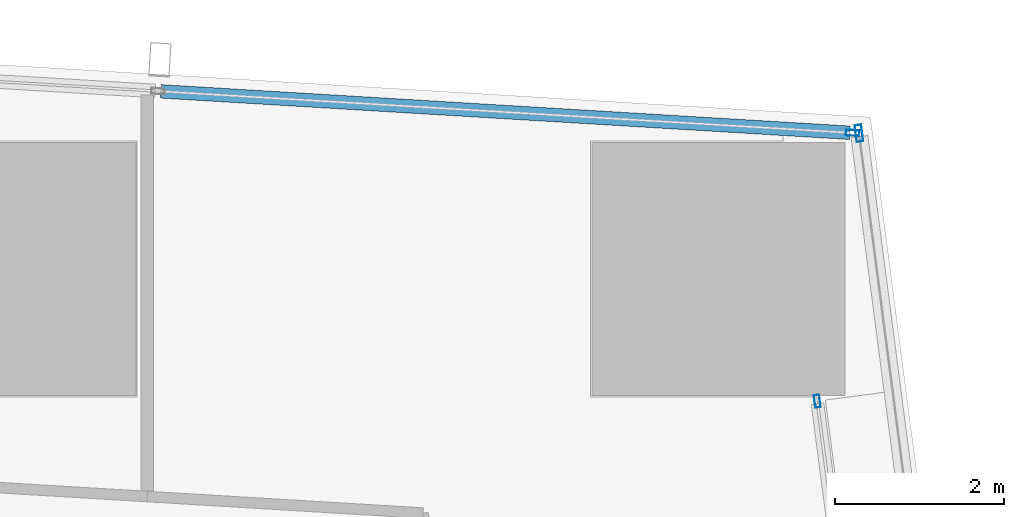
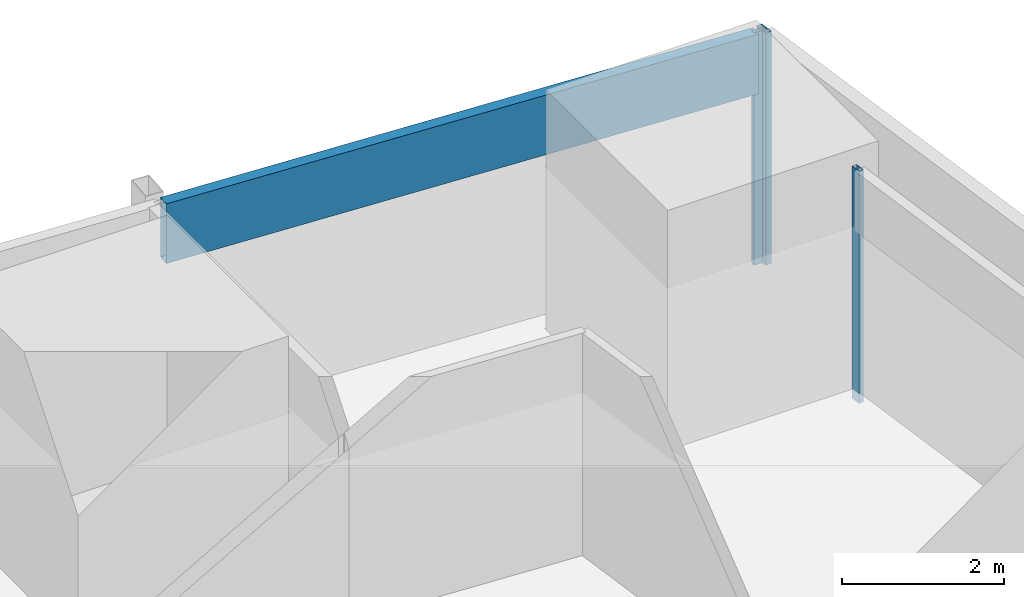
# One storey, part 20 of 39: 4 members, 3 elements without a shape of their own.
"""IFC4 building model written with IfcOpenShell, lengths in metres."""

from ifc_helpers import new_model, si_unit, direction, frame, origin, origin_2d, place, context, subcontext, project, spatial, hollow_rectangle, extrude, material, material_profile, profile_set, type_object, element, aggregate, save


model = new_model("IFC4")

# Units and contexts
model_context = context("Model", 3, precision=1e-05, world=origin(), true_north=direction((0.0, 1.0)))
body_context = subcontext(model_context, "Body", "Model", "MODEL_VIEW")
ifc_project = project(units=[si_unit("LENGTHUNIT", "METRE"), si_unit("AREAUNIT", "SQUARE_METRE"), si_unit("VOLUMEUNIT", "CUBIC_METRE"), si_unit("PLANEANGLEUNIT", "RADIAN"), si_unit("MASSUNIT", "GRAM", prefix="KILO")], contexts=[model_context])

# Site, building, storey
site_placement = place(None, origin())
site = spatial("IfcSite", under=ifc_project, at=site_placement, CompositionType="ELEMENT")
building_placement = place(site_placement, origin())
building = spatial("IfcBuilding", under=site, at=building_placement, Name="Rekha Terrace Tower", CompositionType="ELEMENT")
storey_placement = place(building_placement, frame((0.0, 0.0, 155.300048828125)))
storey = spatial("IfcBuildingStorey", under=building, at=storey_placement, Name="L39", CompositionType="ELEMENT", Elevation=155.300048828125)

# Curtain wall, member
ifc_material_1 = material(Name="Aluminium framing", Category="aluminium")
curtain_wall_type_1 = type_object("IfcCurtainWallType", Name="CW1 double skin inner glazing", PredefinedType="USERDEFINED", material=ifc_material_1)
curtain_wall_1_placement = place(storey_placement, origin())
curtain_wall_1 = element("IfcCurtainWall", 1, at=curtain_wall_1_placement, inside=storey, type_object=curtain_wall_type_1, Name="CW1 double skin inner glazing", ObjectType="DOUBLE SKIN INNER GLAZING", PredefinedType="USERDEFINED")
ifc_material_2 = material(Name="Aluminium mullion section", Category="aluminium")
ifc_material_profile_1 = material_profile(ifc_material_2, hollow_rectangle(XDim=0.06494140625, YDim=0.14990234375, WallThickness=0.00390625, at=origin_2d()), Name="AL RHS 65x150")
ifc_profile_set_1 = profile_set([ifc_material_profile_1], Name="Aluminium mullion section")
member_type_1 = type_object("IfcMemberType", Name="CW1 mullion RHS 65 x 150", PredefinedType="MULLION", material=ifc_profile_set_1)
member_1_placement = place(storey_placement, frame((68.369140625, 57.235595703125, 0.0), z_axis=(0.0, 0.0, 1.0), x_axis=(-0.991629186242, -0.129118383641, 0.0)))
member_1 = element("IfcMember", 2, at=member_1_placement, type_object=member_type_1, Name="CW1 mullion 2", PredefinedType="MULLION", context=body_context, shape_type="SweptSolid", body=[
    extrude(hollow_rectangle(XDim=0.06494140625, YDim=0.14990234375, WallThickness=0.00390625, at=origin_2d()), origin(), (0.0, 0.0, 1.0), 3.5),
])
aggregate(curtain_wall_1, [member_1])

curtain_wall_type_2 = type_object("IfcCurtainWallType", Name="CW2 double skin outer glazing", PredefinedType="USERDEFINED", material=ifc_material_1)
curtain_wall_2_placement = place(storey_placement, origin())
curtain_wall_2 = element("IfcCurtainWall", 3, at=curtain_wall_2_placement, inside=storey, type_object=curtain_wall_type_2, Name="CW2 double skin outer glazing", ObjectType="DOUBLE SKIN OUTER GLAZING", PredefinedType="USERDEFINED")
ifc_material_profile_2 = material_profile(ifc_material_2, hollow_rectangle(XDim=0.080078125, YDim=0.199951171875, WallThickness=0.00390625, at=origin_2d()), Name="AL RHS 80x200")
ifc_profile_set_2 = profile_set([ifc_material_profile_2], Name="Aluminium mullion section")
member_type_2 = type_object("IfcMemberType", Name="CW2 mullion RHS 80 x 200", PredefinedType="MULLION", material=ifc_profile_set_2)
member_2_placement = place(storey_placement, frame((68.863525390625, 60.408447265625, 0.0), z_axis=(0.0, 0.0, 1.0), x_axis=(-0.991629186244, -0.129118383623, 0.0)))
member_2 = element("IfcMember", 4, at=member_2_placement, type_object=member_type_2, Name="CW2 mullion 3", PredefinedType="MULLION", context=body_context, shape_type="SweptSolid", body=[
    extrude(hollow_rectangle(XDim=0.080078125, YDim=0.199951171875, WallThickness=0.00390625, at=origin_2d()), origin(), (0.0, 0.0, 1.0), 3.5),
])
aggregate(curtain_wall_2, [member_2])

# Curtain wall, members
curtain_wall_type_3 = type_object("IfcCurtainWallType", Name="CW3 north unitised glazing", PredefinedType="USERDEFINED", material=ifc_material_1)
curtain_wall_3_placement = place(storey_placement, origin())
curtain_wall_3 = element("IfcCurtainWall", 5, at=curtain_wall_3_placement, inside=storey, type_object=curtain_wall_type_3, Name="CW3 unitised curtain wall", ObjectType="UNITISED CURTAIN WALL", PredefinedType="USERDEFINED")
ifc_material_profile_3 = material_profile(ifc_material_2, hollow_rectangle(XDim=0.070068359375, YDim=0.159912109375, WallThickness=0.00390625, at=origin_2d()), Name="AL RHS 70x160")
ifc_profile_set_3 = profile_set([ifc_material_profile_3], Name="Aluminium mullion section")
member_type_3 = type_object("IfcMemberType", Name="CW3 mullion RHS 70 x 160", PredefinedType="MULLION", material=ifc_profile_set_3)
member_3_placement = place(storey_placement, frame((68.7880859375, 60.412353515625, 0.0), z_axis=(0.0, 0.0, 1.0), x_axis=(-0.059987926837, -0.998199102701, 0.0)))
member_3 = element("IfcMember", 6, at=member_3_placement, type_object=member_type_3, Name="CW3 mullion 1", PredefinedType="MULLION", context=body_context, shape_type="SweptSolid", body=[
    extrude(hollow_rectangle(XDim=0.070068359375, YDim=0.159912109375, WallThickness=0.00390625, at=origin_2d()), origin(), (0.0, 0.0, 1.0), 3.5),
])
ifc_material_3 = material(Name="Insulated aluminium spandrel box", Category="aluminium")
ifc_material_profile_4 = material_profile(ifc_material_3, hollow_rectangle(XDim=0.159912109375, YDim=0.89990234375, WallThickness=0.0029296875, at=origin_2d()), Name="AL SPANDREL BOX 160x900")
ifc_profile_set_4 = profile_set([ifc_material_profile_4], Name="Insulated aluminium spandrel box")
member_type_4 = type_object("IfcMemberType", Name="CW3 spandrel transom 160 x 900", PredefinedType="USERDEFINED", material=ifc_profile_set_4)
member_4_placement = place(storey_placement, frame((68.753173828125, 60.41455078125, 3.050048828125), z_axis=(-0.998198874769, 0.05999171951, 0.0), x_axis=(-0.05999171951, -0.998198874769, 0.0)))
member_4 = element("IfcMember", 7, at=member_4_placement, type_object=member_type_4, Name="CW3 spandrel transom 1", ObjectType="TRANSOM", PredefinedType="USERDEFINED", context=body_context, shape_type="SweptSolid", body=[
    extrude(hollow_rectangle(XDim=0.159912109375, YDim=0.89990234375, WallThickness=0.0029296875, at=origin_2d()), origin(), (0.0, 0.0, 1.0), 8.171630859375),
])
aggregate(curtain_wall_3, [member_3, member_4])

save(model, "model.ifc")
